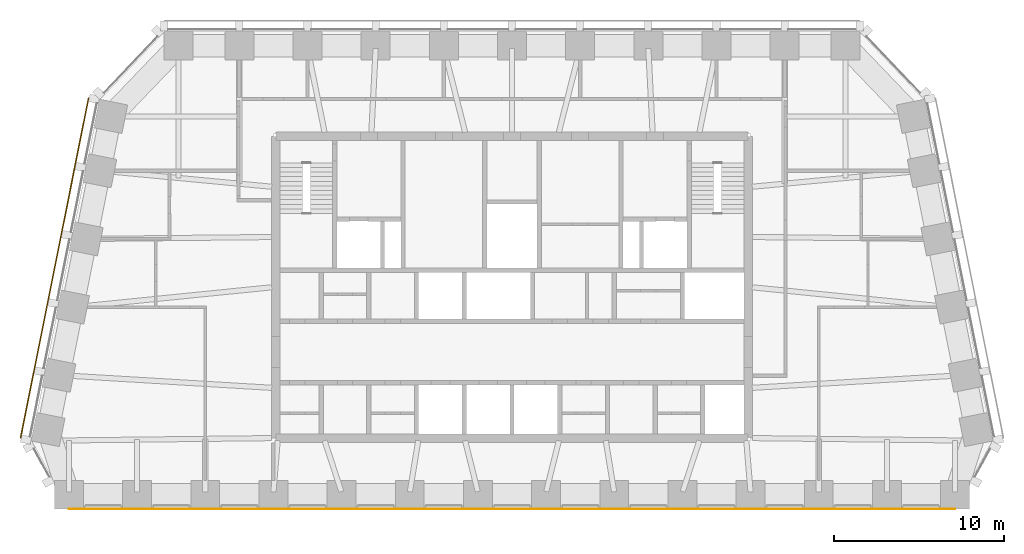
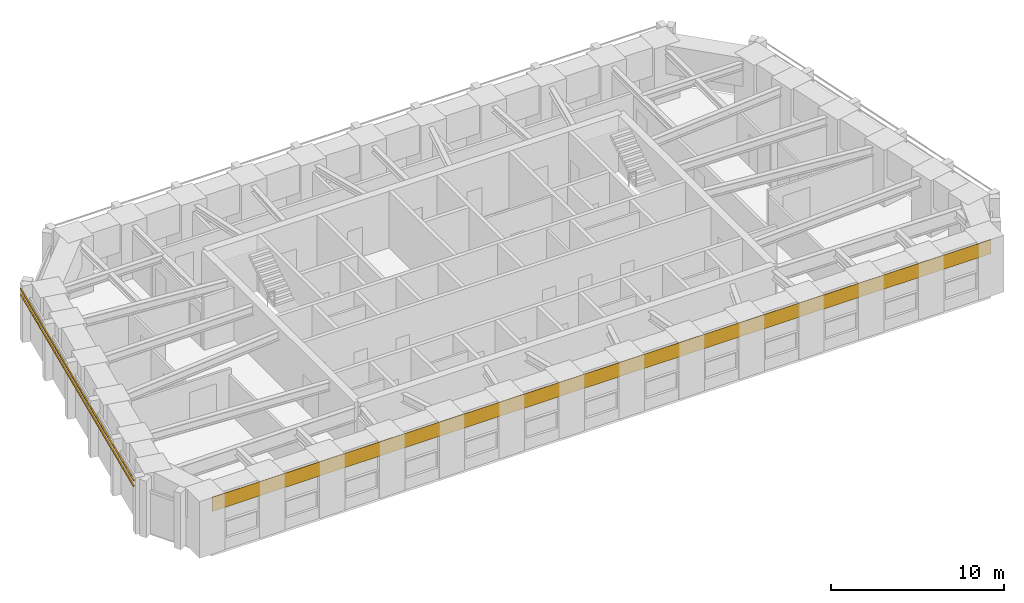
# One storey, part 7 of 8: 2 shading devices, 1 covering.
"""IFC4 building model written with IfcOpenShell, lengths in metres."""

from ifc_helpers import new_model, si_unit, direction, frame, origin, origin_2d, place, context, subcontext, project, spatial, rectangle, extrude, material, layer, layer_set, material_profile, profile_set, type_object, element, save


model = new_model("IFC4")

# Units and contexts
model_context = context("Model", 3, precision=1e-05, world=origin(), true_north=direction((0.0, 1.0)))
body_context = subcontext(model_context, "Body", "Model", "MODEL_VIEW")
ifc_project = project(units=[si_unit("LENGTHUNIT", "METRE"), si_unit("AREAUNIT", "SQUARE_METRE"), si_unit("VOLUMEUNIT", "CUBIC_METRE"), si_unit("PLANEANGLEUNIT", "RADIAN"), si_unit("MASSUNIT", "GRAM", prefix="KILO")], contexts=[model_context])

# Site, building, storey
site_placement = place(None, origin())
site = spatial("IfcSite", under=ifc_project, at=site_placement, CompositionType="ELEMENT")
building_placement = place(site_placement, origin())
building = spatial("IfcBuilding", under=site, at=building_placement, Name="Isbrekke Arena Tower", CompositionType="ELEMENT")
storey_placement = place(building_placement, frame((0.0, 0.0, 320.0)))
storey = spatial("IfcBuildingStorey", under=building, at=storey_placement, Name="L75", CompositionType="ELEMENT", Elevation=320.0)

# Shading devices
ifc_material_1 = material(Name="Terracotta", Category="masonry")
ifc_material_profile = material_profile(ifc_material_1, rectangle(XDim=0.06005859375, YDim=0.06005859375, at=origin_2d()), Name="BAGUETTE 60X60")
ifc_profile_set = profile_set([ifc_material_profile], Name="Terracotta")
shading_device_type = type_object("IfcShadingDeviceType", Name="BG1 TERRACOTTA BAGUETTE 60 x 60", PredefinedType="USERDEFINED", material=ifc_profile_set)
for number, where, z_axis, x_axis, name in (
    (1, (-24.84228515625, 26.12841796875, 3.280029296875), (-0.196116135138, -0.980580675691, 0.0), (0.980580675691, -0.196116135138, 0.0), "BG1 terracotta baguette W1 L75"),
    (2, (-24.84228515625, 26.12841796875, 3.679931640625), (-0.196116135138, -0.980580675691, 0.0), (0.980580675691, -0.196116135138, 0.0), "BG1 terracotta baguette W2 L75"),
):
    element("IfcShadingDevice", number, at=place(storey_placement, frame(where, z_axis=z_axis, x_axis=x_axis)), inside=storey, type_object=shading_device_type, Name=name, ObjectType="TERRACOTTA BAGUETTE", PredefinedType="USERDEFINED", context=body_context, shape_type="SweptSolid", body=[
        extrude(rectangle(XDim=0.06005859375, YDim=0.06005859375, at=origin_2d()), origin(), (0.0, 0.0, 1.0), 20.39599609375),
    ])

# Covering
ifc_material_2 = material(Name="Pre-patinated copper sheet", Category="metal")
ifc_layer = layer(ifc_material_2, 0.02001953125)
ifc_layer_set = layer_set([ifc_layer], Name="CL1 COPPER CLADDING")
covering_type = type_object("IfcCoveringType", Name="CL1 COPPER CLADDING", PredefinedType="CLADDING", material=ifc_layer_set)
covering_placement = place(storey_placement, frame((0.0, 1.989990234375, 3.0), z_axis=(0.0, 0.0, 1.0), x_axis=(1.0, 0.0, 0.0)))
element("IfcCovering", 3, at=covering_placement, inside=storey, type_object=covering_type, Name="CL1 copper cladding L75", PredefinedType="CLADDING", context=body_context, shape_type="SweptSolid", body=[
    extrude(rectangle(XDim=52.0, YDim=0.02001953125, at=origin_2d()), origin(), (0.0, 0.0, 1.0), 1.0),
])

save(model, "model.ifc")
